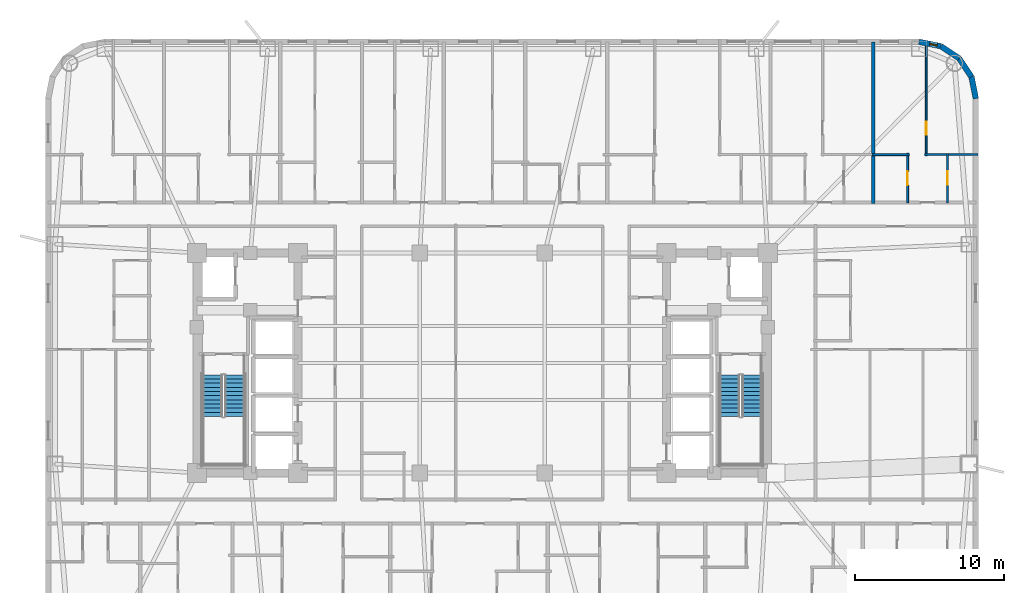
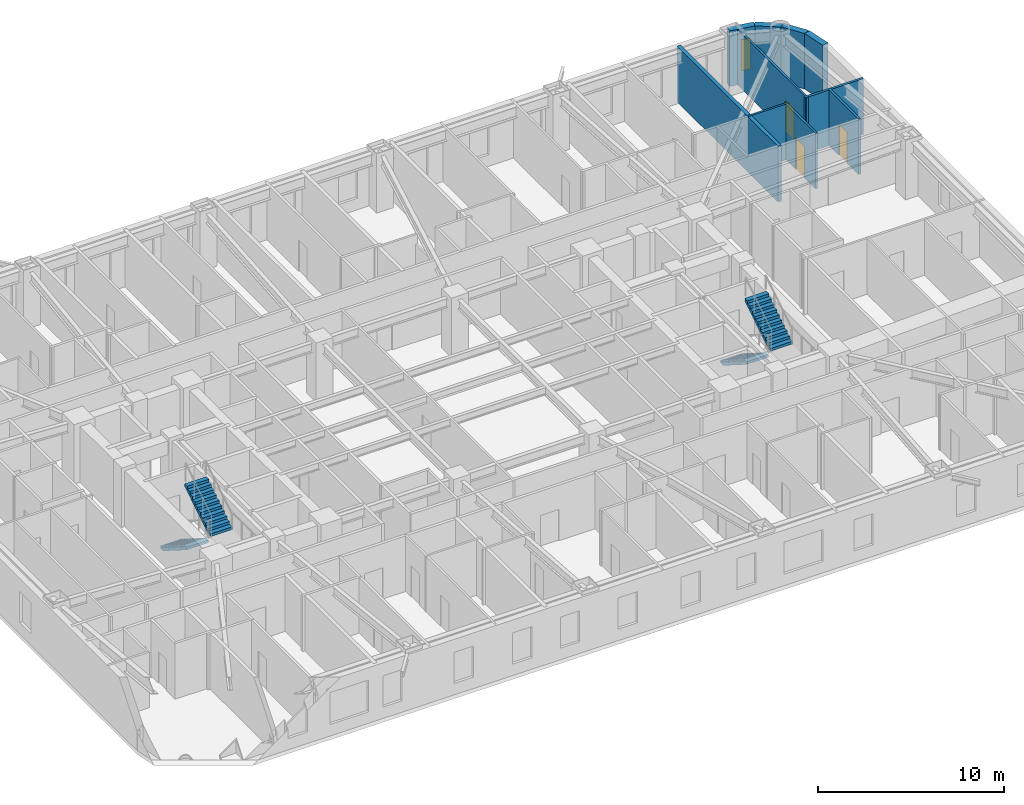
# One storey, part 10 of 12: 10 walls, 4 stair flights, 3 doors, 1 window, 4 openings, 2 elements without a shape of their own.
"""IFC4 building model written with IfcOpenShell, lengths in metres."""

from ifc_helpers import new_model, si_unit, direction, frame, frame_2d, origin, place, context, subcontext, project, spatial, polyline, rectangle, outline, extrude, material, layer, layer_set, type_object, element, fill, aggregate, save


model = new_model("IFC4")

# Units and contexts
model_context = context("Model", 3, precision=1e-05, world=origin(), true_north=direction((0.0, 1.0)))
body_context = subcontext(model_context, "Body", "Model", "MODEL_VIEW")
ifc_project = project(units=[si_unit("LENGTHUNIT", "METRE"), si_unit("AREAUNIT", "SQUARE_METRE"), si_unit("VOLUMEUNIT", "CUBIC_METRE"), si_unit("PLANEANGLEUNIT", "RADIAN"), si_unit("MASSUNIT", "GRAM", prefix="KILO")], contexts=[model_context])

# Site, building, storey
site_placement = place(None, origin())
site = spatial("IfcSite", under=ifc_project, at=site_placement, CompositionType="ELEMENT")
building_placement = place(site_placement, origin())
building = spatial("IfcBuilding", under=site, at=building_placement, Name="Voryun Gate Residences", CompositionType="ELEMENT")
storey_placement = place(building_placement, frame((0.0, 0.0, 109.199951171875)))
storey = spatial("IfcBuildingStorey", under=building, at=storey_placement, Name="L26", CompositionType="ELEMENT", Elevation=109.199951171875)

# Wall, opening, window
ifc_material_1 = material(Name="Granite masonry", Category="masonry")
ifc_layer_1 = layer(ifc_material_1, 0.3798828125, Name="W_EXT_GRANITE_380")
ifc_layer_set_1 = layer_set([ifc_layer_1], Name="Granite masonry")
wall_type_1 = type_object("IfcWallType", Name="W_EXT_GRANITE_380", PredefinedType="ELEMENTEDWALL", material=ifc_layer_set_1)
wall_1_placement = place(storey_placement, frame((29.38134765625, 21.610107421875, 0.0), z_axis=(0.0, 0.0, 1.0), x_axis=(0.980755066645, -0.195242155415, 0.0)))
wall_1 = element("IfcWall", 1, at=wall_1_placement, inside=storey, type_object=wall_type_1, Name="Exterior wall WEXT-L26-12", PredefinedType="ELEMENTEDWALL", context=body_context, shape_type="SweptSolid", body=[
    extrude(rectangle(XDim=1.50439453125, YDim=0.3798828125, at=frame_2d((0.752197265625, 0.0))), origin(), (0.0, 0.0, 1.0), 3.650146484375),
])
opening_1_placement = place(wall_1_placement, frame((0.732177734375, 0.0, 0.75)))
opening_1 = element("IfcOpeningElement", 2, at=opening_1_placement, cuts=wall_1, Name="Opening WN10", PredefinedType="OPENING", context=body_context, shape_type="SweptSolid", body=[
    extrude(rectangle(XDim=0.52001953125, YDim=2.050048828125, at=frame_2d((0.260009765625, 1.02490234375))), frame((0.0, 0.199951171875, 0.0), z_axis=(0.0, -1.0, 0.0), x_axis=(1.0, 0.0, 0.0)), (0.0, 0.0, 1.0), 0.39990234375),
])
ifc_material_2 = material(Name="Laminated low-E glass", Category="glass")
window_type = type_object("IfcWindowType", Name="WN_PAGODA_LANCET_520", PartitioningType="SINGLE_PANEL", PredefinedType="WINDOW", material=ifc_material_2)
window_placement = place(opening_1_placement, origin())
window = element("IfcWindow", 3, at=window_placement, inside=storey, type_object=window_type, Name="Window WN-L26-DWFIX-16", OverallHeight=2.050048828125, OverallWidth=0.52001953125, PartitioningType="SINGLE_PANEL", PredefinedType="WINDOW", context=body_context, shape_type="SweptSolid", body=[
    extrude(rectangle(XDim=0.52001953125, YDim=2.050048828125, at=frame_2d((0.260009765625, 1.02490234375))), frame((0.0, 0.030029296875, 0.0), z_axis=(0.0, -1.0, 0.0), x_axis=(1.0, 0.0, 0.0)), (0.0, 0.0, 1.0), 0.06005859375),
])
fill(opening_1, window)

# Walls
wall_2_placement = place(storey_placement, frame((30.856689453125, 21.31640625, 0.0), z_axis=(0.0, 0.0, 1.0), x_axis=(0.831468045563, -0.555572577804, 0.0)))
element("IfcWall", 4, at=wall_2_placement, inside=storey, type_object=wall_type_1, Name="Exterior wall WEXT-L26-13", PredefinedType="ELEMENTEDWALL", context=body_context, shape_type="SweptSolid", body=[
    extrude(rectangle(XDim=1.48486328125, YDim=0.3798828125, at=frame_2d((0.742431640625, 0.0))), origin(), (0.0, 0.0, 1.0), 3.650146484375),
])
wall_3_placement = place(storey_placement, frame((32.09130859375, 20.491455078125, 0.0), z_axis=(0.0, 0.0, 1.0), x_axis=(0.555610286119, -0.831442848281, 0.0)))
element("IfcWall", 5, at=wall_3_placement, inside=storey, type_object=wall_type_1, Name="Exterior wall WEXT-L26-14", PredefinedType="ELEMENTEDWALL", context=body_context, shape_type="SweptSolid", body=[
    extrude(rectangle(XDim=1.485107421875, YDim=0.3798828125, at=frame_2d((0.74267578125, 0.0))), origin(), (0.0, 0.0, 1.0), 3.650146484375),
])
wall_4_placement = place(storey_placement, frame((32.91650390625, 19.256591796875, 0.0), z_axis=(0.0, 0.0, 1.0), x_axis=(0.195086038585, -0.980786132421, 0.0)))
element("IfcWall", 6, at=wall_4_placement, inside=storey, type_object=wall_type_1, Name="Exterior wall WEXT-L26-15", PredefinedType="ELEMENTEDWALL", context=body_context, shape_type="SweptSolid", body=[
    extrude(rectangle(XDim=1.504150390625, YDim=0.3798828125, at=frame_2d((0.751953125, 0.0))), origin(), (0.0, 0.0, 1.0), 3.650146484375),
])
ifc_material_3 = material(Name="Concrete C40/50", Category="concrete")
ifc_layer_2 = layer(ifc_material_3, 0.219970703125, Name="W_PARTY_ACOUSTIC_220")
ifc_layer_set_2 = layer_set([ifc_layer_2], Name="Concrete C40/50")
wall_type_2 = type_object("IfcWallType", Name="W_PARTY_ACOUSTIC_220", PredefinedType="PARTITIONING", material=ifc_layer_set_2)
wall_5_placement = place(storey_placement, frame((26.30908203125, 10.719970703125, 0.0), z_axis=(0.0, 0.0, 1.0), x_axis=(0.0, 1.0, 0.0)))
element("IfcWall", 7, at=wall_5_placement, inside=storey, type_object=wall_type_2, Name="Partition wall WP-L26-NPTY-8", PredefinedType="PARTITIONING", context=body_context, shape_type="SweptSolid", body=[
    extrude(rectangle(XDim=10.89013671875, YDim=0.219970703125, at=frame_2d((5.445068359375, 0.0))), origin(), (0.0, 0.0, 1.0), 3.650146484375),
])

# Wall, opening, door
ifc_material_4 = material(Name="Gypsum acoustic partition")
ifc_layer_3 = layer(ifc_material_4, 0.125, Name="W_UNIT_PART_125")
ifc_layer_set_3 = layer_set([ifc_layer_3], Name="Gypsum acoustic partition")
wall_type_3 = type_object("IfcWallType", Name="W_UNIT_PART_125", PredefinedType="PARTITIONING", material=ifc_layer_set_3)
wall_6_placement = place(storey_placement, frame((29.867919921875, 13.93994140625, 0.0), z_axis=(0.0, 0.0, 1.0), x_axis=(0.0, 1.0, 0.0)))
wall_6 = element("IfcWall", 8, at=wall_6_placement, inside=storey, type_object=wall_type_3, Name="Partition wall WP-L26-N9-OVR", PredefinedType="PARTITIONING", context=body_context, shape_type="SweptSolid", body=[
    extrude(rectangle(XDim=7.72607421875, YDim=0.125, at=frame_2d((3.863037109375, 0.0))), origin(), (0.0, 0.0, 1.0), 3.650146484375),
])
opening_2_placement = place(wall_6_placement, frame((1.404296875, 0.0, 0.0)))
opening_2 = element("IfcOpeningElement", 9, at=opening_2_placement, cuts=wall_6, Name="Opening D-INT-2", PredefinedType="OPENING", context=body_context, shape_type="SweptSolid", body=[
    extrude(rectangle(XDim=0.89990234375, YDim=2.050048828125, at=frame_2d((0.449951171875, 1.02490234375))), frame((0.0, 0.072509765625, 0.0), z_axis=(0.0, -1.0, 0.0), x_axis=(1.0, 0.0, 0.0)), (0.0, 0.0, 1.0), 0.14501953125),
])
ifc_material_5 = material(Name="Architectural oak veneer")
door_type_1 = type_object("IfcDoorType", Name="DR_INT_BATH_900", OperationType="NOTDEFINED", PredefinedType="DOOR", material=ifc_material_5)
door_1_placement = place(opening_2_placement, origin())
door_1 = element("IfcDoor", 10, at=door_1_placement, inside=storey, type_object=door_type_1, Name="Door DR-L26-N9-DMB", OperationType="SINGLE_SWING_RIGHT", OverallHeight=2.050048828125, OverallWidth=0.89990234375, PredefinedType="DOOR", context=body_context, shape_type="SweptSolid", body=[
    extrude(rectangle(XDim=0.89990234375, YDim=2.050048828125, at=frame_2d((0.449951171875, 1.02490234375))), frame((0.0, 0.02490234375, 0.0), z_axis=(0.0, -1.0, 0.0), x_axis=(1.0, 0.0, 0.0)), (0.0, 0.0, 1.0), 0.050048828125),
])
fill(opening_2, door_1)

wall_7_placement = place(storey_placement, frame((28.618896484375, 10.780029296875, 0.0), z_axis=(0.0, 0.0, 1.0), x_axis=(0.0, 1.0, 0.0)))
wall_7 = element("IfcWall", 11, at=wall_7_placement, inside=storey, type_object=wall_type_3, Name="Partition wall WP-L26-N9-IVK", PredefinedType="PARTITIONING", context=body_context, shape_type="SweptSolid", body=[
    extrude(rectangle(XDim=3.320068359375, YDim=0.125, at=frame_2d((1.66015625, 0.0))), origin(), (0.0, 0.0, 1.0), 3.650146484375),
])
opening_3_placement = place(wall_7_placement, frame((1.18505859375, 0.0, 0.0)))
opening_3 = element("IfcOpeningElement", 12, at=opening_3_placement, cuts=wall_7, Name="Opening D-INT-1", PredefinedType="OPENING", context=body_context, shape_type="SweptSolid", body=[
    extrude(rectangle(XDim=0.949951171875, YDim=2.050048828125, at=frame_2d((0.47509765625, 1.02490234375))), frame((0.0, 0.072509765625, 0.0), z_axis=(0.0, -1.0, 0.0), x_axis=(1.0, 0.0, 0.0)), (0.0, 0.0, 1.0), 0.14501953125),
])
ifc_material_6 = material(Name="Architectural oak veneer")
door_type_2 = type_object("IfcDoorType", Name="DR_INT_ROOM_950", OperationType="NOTDEFINED", PredefinedType="DOOR", material=ifc_material_6)
door_2_placement = place(opening_3_placement, origin())
door_2 = element("IfcDoor", 13, at=door_2_placement, inside=storey, type_object=door_type_2, Name="Door DR-L26-N9-DK", OperationType="SINGLE_SWING_LEFT", OverallHeight=2.050048828125, OverallWidth=0.949951171875, PredefinedType="DOOR", context=body_context, shape_type="SweptSolid", body=[
    extrude(rectangle(XDim=0.949951171875, YDim=2.050048828125, at=frame_2d((0.47509765625, 1.02490234375))), frame((0.0, 0.02490234375, 0.0), z_axis=(0.0, -1.0, 0.0), x_axis=(1.0, 0.0, 0.0)), (0.0, 0.0, 1.0), 0.050048828125),
])
fill(opening_3, door_2)

# Walls
wall_8_placement = place(storey_placement, frame((26.23388671875, 14.02001953125, 0.0), z_axis=(0.0, 0.0, 1.0), x_axis=(1.0, 0.0, 0.0)))
element("IfcWall", 14, at=wall_8_placement, inside=storey, type_object=wall_type_3, Name="Partition wall WP-L26-N9-HZK", PredefinedType="PARTITIONING", context=body_context, shape_type="SweptSolid", body=[
    extrude(rectangle(XDim=2.505126953125, YDim=0.125, at=frame_2d((1.25244140625, 0.0))), origin(), (0.0, 0.0, 1.0), 3.650146484375),
])
ifc_material_7 = material(Name="Gypsum moisture-resistant partition")
ifc_layer_4 = layer(ifc_material_7, 0.14990234375, Name="W_WET_PLUMB_150")
ifc_layer_set_4 = layer_set([ifc_layer_4], Name="Gypsum moisture-resistant partition")
wall_type_4 = type_object("IfcWallType", Name="W_WET_PLUMB_150", PredefinedType="PLUMBINGWALL", material=ifc_layer_set_4)
wall_9_placement = place(storey_placement, frame((29.748046875, 14.02001953125, 0.0), z_axis=(0.0, 0.0, 1.0), x_axis=(1.0, 0.0, 0.0)))
element("IfcWall", 15, at=wall_9_placement, inside=storey, type_object=wall_type_4, Name="Partition wall WP-L26-N9-HZB", PredefinedType="PLUMBINGWALL", context=body_context, shape_type="SweptSolid", body=[
    extrude(rectangle(XDim=3.612060546875, YDim=0.14990234375, at=frame_2d((1.80615234375, 0.0))), origin(), (0.0, 0.0, 1.0), 3.650146484375),
])

# Wall, opening, door
wall_10_placement = place(storey_placement, frame((31.298095703125, 10.780029296875, 0.0), z_axis=(0.0, 0.0, 1.0), x_axis=(0.0, 1.0, 0.0)))
wall_10 = element("IfcWall", 16, at=wall_10_placement, inside=storey, type_object=wall_type_4, Name="Partition wall WP-L26-N9-IVB", PredefinedType="PLUMBINGWALL", context=body_context, shape_type="SweptSolid", body=[
    extrude(rectangle(XDim=3.320068359375, YDim=0.14990234375, at=frame_2d((1.66015625, 0.0))), origin(), (0.0, 0.0, 1.0), 3.650146484375),
])
opening_4_placement = place(wall_10_placement, frame((1.2099609375, 0.0, 0.0)))
opening_4 = element("IfcOpeningElement", 17, at=opening_4_placement, cuts=wall_10, Name="Opening D-INT-2", PredefinedType="OPENING", context=body_context, shape_type="SweptSolid", body=[
    extrude(rectangle(XDim=0.89990234375, YDim=2.050048828125, at=frame_2d((0.449951171875, 1.02490234375))), frame((0.0, 0.0849609375, 0.0), z_axis=(0.0, -1.0, 0.0), x_axis=(1.0, 0.0, 0.0)), (0.0, 0.0, 1.0), 0.169921875),
])
door_3_placement = place(opening_4_placement, origin())
door_3 = element("IfcDoor", 18, at=door_3_placement, inside=storey, type_object=door_type_1, Name="Door DR-L26-N9-DB", OperationType="SINGLE_SWING_RIGHT", OverallHeight=2.050048828125, OverallWidth=0.89990234375, PredefinedType="DOOR", context=body_context, shape_type="SweptSolid", body=[
    extrude(rectangle(XDim=0.89990234375, YDim=2.050048828125, at=frame_2d((0.449951171875, 1.02490234375))), frame((0.0, 0.02490234375, 0.0), z_axis=(0.0, -1.0, 0.0), x_axis=(1.0, 0.0, 0.0)), (0.0, 0.0, 1.0), 0.050048828125),
])
fill(opening_4, door_3)

# Stair, stair flights
ifc_material_8 = material(Name="Concrete C40/50", Category="concrete")
stair_type = type_object("IfcStairType", Name="STR_CORE_DOGLEG_1350", PredefinedType="HALF_TURN_STAIR", material=ifc_material_8)
stair_1_placement = place(storey_placement, origin())
stair_1 = element("IfcStair", 19, at=stair_1_placement, inside=storey, type_object=stair_type, Name="L26 Special Escape Stair ST-W1", PredefinedType="HALF_TURN_STAIR")
ifc_material_9 = material(Name="Concrete C40/50", Category="concrete")
stair_flight_type = type_object("IfcStairFlightType", Name="FLT_CORE_1350", PredefinedType="STRAIGHT", material=ifc_material_9)
stair_flight_1_placement = place(storey_placement, frame((-18.14990234375, -0.800048828125, 0.0), z_axis=(0.0, 0.0, 1.0), x_axis=(0.0, -1.0, 0.0)))
stair_flight_1 = element("IfcStairFlight", 20, at=stair_flight_1_placement, type_object=stair_flight_type, Name="ST-W1 flight 1", NumberOfRisers=11, NumberOfTreads=10, PredefinedType="STRAIGHT", RiserHeight=0.177272727, TreadLength=0.28, context=body_context, shape_type="SweptSolid", body=[
    extrude(outline(polyline([(0.0, 0.0), (0.0, 0.17724609375), (0.280029296875, 0.17724609375), (0.280029296875, 0.3544921875), (0.56005859375, 0.3544921875), (0.56005859375, 0.53173828125), (0.840087890625, 0.53173828125), (0.840087890625, 0.708984375), (1.1201171875, 0.708984375), (1.1201171875, 0.886474609375), (1.39990234375, 0.886474609375), (1.39990234375, 1.063720703125), (1.679931640625, 1.063720703125), (1.679931640625, 1.240966796875), (1.9599609375, 1.240966796875), (1.9599609375, 1.418212890625), (2.239990234375, 1.418212890625), (2.239990234375, 1.595458984375), (2.52001953125, 1.595458984375), (2.52001953125, 1.772705078125), (2.800048828125, 1.772705078125), (2.800048828125, 1.949951171875), (2.800048828125, 1.59521484375), (0.2802734375, 0.0), (0.0, 0.0)])), frame((0.0, 0.675048828125, 0.0), z_axis=(0.0, -1.0, 0.0), x_axis=(1.0, 0.0, 0.0)), (0.0, 0.0, 1.0), 1.35009765625),
])
stair_flight_2_placement = place(storey_placement, frame((-16.64990234375, -3.60009765625, 1.949951171875), z_axis=(0.0, 0.0, 1.0), x_axis=(0.0, 1.0, 0.0)))
stair_flight_2 = element("IfcStairFlight", 21, at=stair_flight_2_placement, type_object=stair_flight_type, Name="ST-W1 flight 2", NumberOfRisers=11, NumberOfTreads=10, PredefinedType="STRAIGHT", RiserHeight=0.177272727, TreadLength=0.28, context=body_context, shape_type="SweptSolid", body=[
    extrude(outline(polyline([(0.0, 0.0), (0.0, 0.17724609375), (0.280029296875, 0.17724609375), (0.280029296875, 0.3544921875), (0.56005859375, 0.3544921875), (0.56005859375, 0.53173828125), (0.840087890625, 0.53173828125), (0.840087890625, 0.708984375), (1.1201171875, 0.708984375), (1.1201171875, 0.886474609375), (1.39990234375, 0.886474609375), (1.39990234375, 1.063720703125), (1.679931640625, 1.063720703125), (1.679931640625, 1.240966796875), (1.9599609375, 1.240966796875), (1.9599609375, 1.418212890625), (2.239990234375, 1.418212890625), (2.239990234375, 1.595458984375), (2.52001953125, 1.595458984375), (2.52001953125, 1.772705078125), (2.800048828125, 1.772705078125), (2.800048828125, 1.949951171875), (2.800048828125, 1.59521484375), (0.2802734375, 0.0), (0.0, 0.0)])), frame((0.0, 0.675048828125, 0.0), z_axis=(0.0, -1.0, 0.0), x_axis=(1.0, 0.0, 0.0)), (0.0, 0.0, 1.0), 1.35009765625),
])
aggregate(stair_1, [stair_flight_1, stair_flight_2])

stair_2_placement = place(storey_placement, origin())
stair_2 = element("IfcStair", 22, at=stair_2_placement, inside=storey, type_object=stair_type, Name="L26 Special Escape Stair ST-E1", PredefinedType="HALF_TURN_STAIR")
stair_flight_3_placement = place(storey_placement, frame((16.64990234375, -0.800048828125, 0.0), z_axis=(0.0, 0.0, 1.0), x_axis=(0.0, -1.0, 0.0)))
stair_flight_3 = element("IfcStairFlight", 23, at=stair_flight_3_placement, type_object=stair_flight_type, Name="ST-E1 flight 1", NumberOfRisers=11, NumberOfTreads=10, PredefinedType="STRAIGHT", RiserHeight=0.177272727, TreadLength=0.28, context=body_context, shape_type="SweptSolid", body=[
    extrude(outline(polyline([(0.0, 0.0), (0.0, 0.17724609375), (0.280029296875, 0.17724609375), (0.280029296875, 0.3544921875), (0.56005859375, 0.3544921875), (0.56005859375, 0.53173828125), (0.840087890625, 0.53173828125), (0.840087890625, 0.708984375), (1.1201171875, 0.708984375), (1.1201171875, 0.886474609375), (1.39990234375, 0.886474609375), (1.39990234375, 1.063720703125), (1.679931640625, 1.063720703125), (1.679931640625, 1.240966796875), (1.9599609375, 1.240966796875), (1.9599609375, 1.418212890625), (2.239990234375, 1.418212890625), (2.239990234375, 1.595458984375), (2.52001953125, 1.595458984375), (2.52001953125, 1.772705078125), (2.800048828125, 1.772705078125), (2.800048828125, 1.949951171875), (2.800048828125, 1.59521484375), (0.2802734375, 0.0), (0.0, 0.0)])), frame((0.0, 0.675048828125, 0.0), z_axis=(0.0, -1.0, 0.0), x_axis=(1.0, 0.0, 0.0)), (0.0, 0.0, 1.0), 1.35009765625),
])
stair_flight_4_placement = place(storey_placement, frame((18.14990234375, -3.60009765625, 1.949951171875), z_axis=(0.0, 0.0, 1.0), x_axis=(0.0, 1.0, 0.0)))
stair_flight_4 = element("IfcStairFlight", 24, at=stair_flight_4_placement, type_object=stair_flight_type, Name="ST-E1 flight 2", NumberOfRisers=11, NumberOfTreads=10, PredefinedType="STRAIGHT", RiserHeight=0.177272727, TreadLength=0.28, context=body_context, shape_type="SweptSolid", body=[
    extrude(outline(polyline([(0.0, 0.0), (0.0, 0.17724609375), (0.280029296875, 0.17724609375), (0.280029296875, 0.3544921875), (0.56005859375, 0.3544921875), (0.56005859375, 0.53173828125), (0.840087890625, 0.53173828125), (0.840087890625, 0.708984375), (1.1201171875, 0.708984375), (1.1201171875, 0.886474609375), (1.39990234375, 0.886474609375), (1.39990234375, 1.063720703125), (1.679931640625, 1.063720703125), (1.679931640625, 1.240966796875), (1.9599609375, 1.240966796875), (1.9599609375, 1.418212890625), (2.239990234375, 1.418212890625), (2.239990234375, 1.595458984375), (2.52001953125, 1.595458984375), (2.52001953125, 1.772705078125), (2.800048828125, 1.772705078125), (2.800048828125, 1.949951171875), (2.800048828125, 1.59521484375), (0.2802734375, 0.0), (0.0, 0.0)])), frame((0.0, 0.675048828125, 0.0), z_axis=(0.0, -1.0, 0.0), x_axis=(1.0, 0.0, 0.0)), (0.0, 0.0, 1.0), 1.35009765625),
])
aggregate(stair_2, [stair_flight_3, stair_flight_4])

save(model, "model.ifc")
